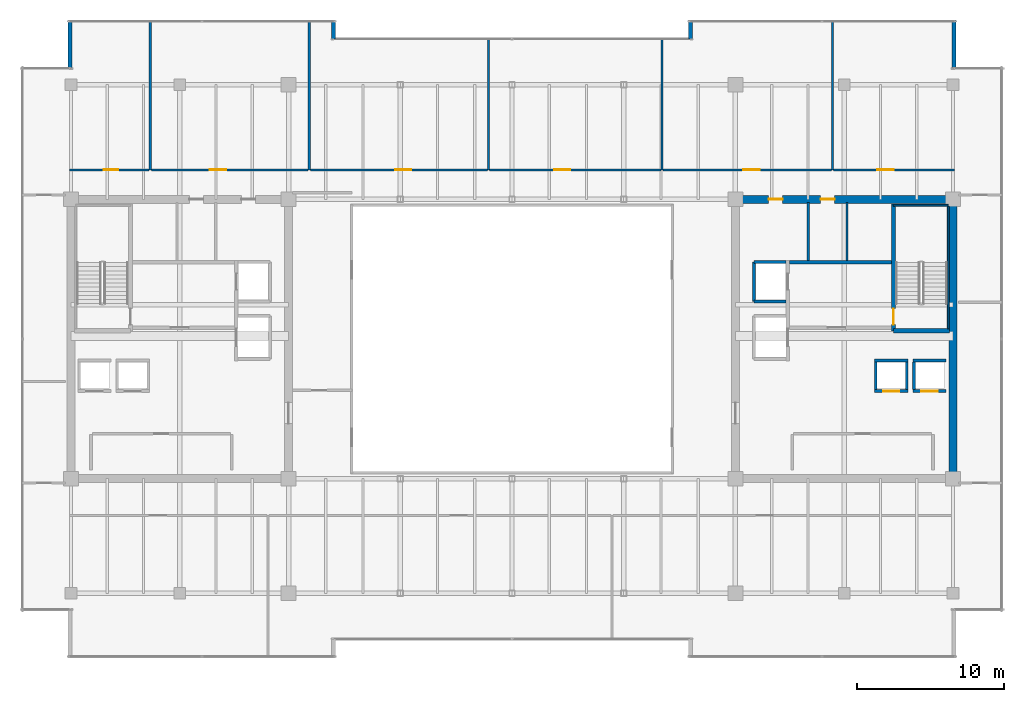
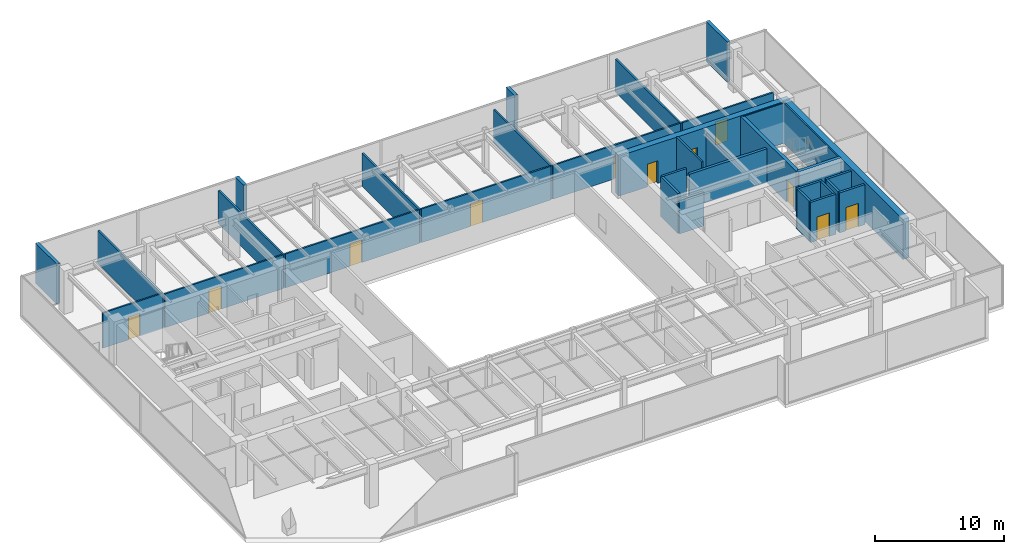
# One storey, part 30 of 33: 34 walls, 11 doors, 11 openings.
"""IFC4 building model written with IfcOpenShell, lengths in metres."""

from ifc_helpers import new_model, si_unit, direction, frame, frame_2d, origin, place, context, subcontext, project, spatial, rectangle, extrude, source, transform, mapped, material, layer, layer_set, type_object, type_shapes, element, fill, save


model = new_model("IFC4")

# Units and contexts
model_context = context("Model", 3, precision=1e-05, world=origin(), true_north=direction((0.0, 1.0)))
body_context = subcontext(model_context, "Body", "Model", "MODEL_VIEW")
ifc_project = project(units=[si_unit("LENGTHUNIT", "METRE"), si_unit("AREAUNIT", "SQUARE_METRE"), si_unit("VOLUMEUNIT", "CUBIC_METRE"), si_unit("PLANEANGLEUNIT", "RADIAN"), si_unit("MASSUNIT", "GRAM", prefix="KILO")], contexts=[model_context])

# Site, building, storey
site_placement = place(None, origin())
site = spatial("IfcSite", under=ifc_project, at=site_placement, CompositionType="ELEMENT")
building_placement = place(site_placement, origin())
building = spatial("IfcBuilding", under=site, at=building_placement, Name="Haelvirn Gate Laboratories", CompositionType="ELEMENT")
storey_placement = place(building_placement, frame((0.0, 0.0, 230.10009765625)))
storey = spatial("IfcBuildingStorey", under=building, at=storey_placement, Name="L55", CompositionType="ELEMENT", Elevation=230.10009765625)

# Walls
ifc_material_1 = material(Name="Thermally-broken bronze aluminium rainscreen & mineral wool", Category="aluminium")
ifc_layer_1 = layer(ifc_material_1, 0.280029296875, Name="EW-TERR-280")
ifc_layer_set_1 = layer_set([ifc_layer_1], Name="Thermally-broken bronze aluminium rainscreen & mineral wool")
wall_type_1 = type_object("IfcWallType", Name="EW-TERR-280", PredefinedType="STANDARD", material=ifc_layer_set_1)
wall_1_placement = place(storey_placement, frame((67.4599609375, 42.7119140625, 0.0), z_axis=(0.0, 0.0, 1.0), x_axis=(0.0, 1.0, 0.0)))
element("IfcWall", 1, at=wall_1_placement, inside=storey, type_object=wall_type_1, Name="L55 Atrium Recess Bronze Return Wall 09", PredefinedType="STANDARD", context=body_context, shape_type="SweptSolid", body=[
    extrude(rectangle(XDim=3.2880859375, YDim=0.280029296875, at=frame_2d((1.64404296875, 0.0))), origin(), (0.0, 0.0, 1.0), 3.7998046875),
])
for number, where, z_axis, x_axis, name in (
    (2, (49.5400390625, 46.0, 0.0), (0.0, 0.0, 1.0), (0.0, -1.0, 0.0), "L55 Atrium Recess Bronze Return Wall 11"),
    (3, (25.260009765625, 44.70703125, 0.0), (0.0, 0.0, 1.0), (0.0, 1.0, 0.0), "L55 Atrium Recess Bronze Return Wall 13"),
):
    element("IfcWall", number, at=place(storey_placement, frame(where, z_axis=z_axis, x_axis=x_axis)), inside=storey, type_object=wall_type_1, Name=name, PredefinedType="STANDARD", context=body_context, shape_type="SweptSolid", body=[
        extrude(rectangle(XDim=1.29296875, YDim=0.280029296875, at=frame_2d((0.646484375, 0.0))), origin(), (0.0, 0.0, 1.0), 3.7998046875),
    ])
wall_2_placement = place(storey_placement, frame((7.340087890625, 46.0, 0.0), z_axis=(0.0, 0.0, 1.0), x_axis=(0.0, -1.0, 0.0)))
element("IfcWall", 4, at=wall_2_placement, inside=storey, type_object=wall_type_1, Name="L55 Atrium Recess Bronze Return Wall 15", PredefinedType="STANDARD", context=body_context, shape_type="SweptSolid", body=[
    extrude(rectangle(XDim=3.2880859375, YDim=0.280029296875, at=frame_2d((1.64404296875, 0.0))), origin(), (0.0, 0.0, 1.0), 3.7998046875),
])
ifc_material_2 = material(Name="Double-layer acoustic gypsum laboratory partition", Category="gypsum")
ifc_layer_2 = layer(ifc_material_2, 0.159912109375, Name="IW-ACOUST-160")
ifc_layer_set_2 = layer_set([ifc_layer_2], Name="Double-layer acoustic gypsum laboratory partition")
wall_type_2 = type_object("IfcWallType", Name="IW-ACOUST-160", PredefinedType="PARTITIONING", material=ifc_layer_set_2)
for number, where, z_axis, x_axis, name in (
    (5, (12.800048828125, 35.81005859375, 0.0), (0.0, 0.0, 1.0), (0.0, 1.0, 0.0), "L55 Interior Wall IW-L55-NDIV-01"),
    (6, (23.60009765625, 35.81005859375, 0.0), (0.0, 0.0, 1.0), (0.0, 1.0, 0.0), "L55 Interior Wall IW-L55-NDIV-02"),
):
    element("IfcWall", number, at=place(storey_placement, frame(where, z_axis=z_axis, x_axis=x_axis)), inside=storey, type_object=wall_type_2, Name=name, PredefinedType="PARTITIONING", context=body_context, shape_type="SweptSolid", body=[
        extrude(rectangle(XDim=10.079833984375, YDim=0.159912109375, at=frame_2d((5.0400390625, 0.0))), origin(), (0.0, 0.0, 1.0), 3.135009765625),
    ])
for number, where, z_axis, x_axis, name in (
    (7, (35.800048828125, 35.81005859375, 0.0), (0.0, 0.0, 1.0), (0.0, 1.0, 0.0), "L55 Interior Wall IW-L55-NDIV-03"),
    (8, (47.60009765625, 35.81005859375, 0.0), (0.0, 0.0, 1.0), (0.0, 1.0, 0.0), "L55 Interior Wall IW-L55-NDIV-04"),
):
    element("IfcWall", number, at=place(storey_placement, frame(where, z_axis=z_axis, x_axis=x_axis)), inside=storey, type_object=wall_type_2, Name=name, PredefinedType="PARTITIONING", context=body_context, shape_type="SweptSolid", body=[
        extrude(rectangle(XDim=8.8798828125, YDim=0.159912109375, at=frame_2d((4.43994140625, 0.0))), origin(), (0.0, 0.0, 1.0), 3.135009765625),
    ])
wall_3_placement = place(storey_placement, frame((59.199951171875, 35.81005859375, 0.0), z_axis=(0.0, 0.0, 1.0), x_axis=(0.0, 1.0, 0.0)))
element("IfcWall", 9, at=wall_3_placement, inside=storey, type_object=wall_type_2, Name="L55 Interior Wall IW-L55-NDIV-05", PredefinedType="PARTITIONING", context=body_context, shape_type="SweptSolid", body=[
    extrude(rectangle(XDim=10.079833984375, YDim=0.159912109375, at=frame_2d((5.0400390625, 0.0))), origin(), (0.0, 0.0, 1.0), 3.135009765625),
])

# Wall, opening, door
ifc_material_3 = material(Name="Acoustic mineral-wool gypsum board partition", Category="gypsum")
ifc_layer_3 = layer(ifc_material_3, 0.139892578125, Name="IW-PART-140")
ifc_layer_set_3 = layer_set([ifc_layer_3], Name="Acoustic mineral-wool gypsum board partition")
wall_type_3 = type_object("IfcWallType", Name="IW-PART-140", PredefinedType="PARTITIONING", material=ifc_layer_set_3)
wall_4_placement = place(storey_placement, frame((7.31005859375, 35.81005859375, 0.0), z_axis=(0.0, 0.0, 1.0), x_axis=(1.0, 0.0, 0.0)))
wall_4 = element("IfcWall", 10, at=wall_4_placement, inside=storey, type_object=wall_type_3, Name="L55 Interior Wall IW-L55-NCORR-01", PredefinedType="PARTITIONING", context=body_context, shape_type="SweptSolid", body=[
    extrude(rectangle(XDim=5.409912109375, YDim=0.139892578125, at=frame_2d((2.705078125, 0.0))), origin(), (0.0, 0.0, 1.0), 3.3349609375),
])
opening_1_placement = place(wall_4_placement, frame((2.31640625, 0.0, 0.0)))
opening_1 = element("IfcOpeningElement", 11, at=opening_1_placement, cuts=wall_4, Name="Opening D2", PredefinedType="OPENING", context=body_context, shape_type="SweptSolid", body=[
    extrude(rectangle(XDim=1.0, YDim=2.14990234375, at=frame_2d((0.5, 1.074951171875))), frame((0.0, 0.080078125, 0.0), z_axis=(0.0, -1.0, 0.0), x_axis=(1.0, 0.0, 0.0)), (0.0, 0.0, 1.0), 0.159912109375),
])
ifc_material_4 = material(Name="Acoustic solid-core timber suite door", Category="wood")
door_type_1 = type_object("IfcDoorType", Name="DR-INT-1000", OperationType="NOTDEFINED", PredefinedType="DOOR", material=ifc_material_4)
shared_shape_1 = source(origin(), body_context, "Body", "SweptSolid", [
    extrude(rectangle(XDim=1.0, YDim=2.14990234375, at=frame_2d((0.5, 1.074951171875))), frame((0.0, 0.02490234375, 0.0), z_axis=(0.0, -1.0, 0.0), x_axis=(1.0, 0.0, 0.0)), (0.0, 0.0, 1.0), 0.050048828125),
])
type_shapes(door_type_1, [shared_shape_1])
door_1_placement = place(opening_1_placement, origin())
door_1 = element("IfcDoor", 12, at=door_1_placement, inside=storey, type_object=door_type_1, Name="L55 Protocol Briefing Training Room Door N1", OperationType="SINGLE_SWING_LEFT", OverallHeight=2.14990234375, OverallWidth=1.0, PredefinedType="DOOR", context=body_context, shape_type="MappedRepresentation", body=[
    mapped(shared_shape_1, transform((0.0, 0.0, 0.0), scale=1.0)),
])
fill(opening_1, door_1)

wall_5_placement = place(storey_placement, frame((12.8798828125, 35.81005859375, 0.0), z_axis=(0.0, 0.0, 1.0), x_axis=(1.0, 0.0, 0.0)))
wall_5 = element("IfcWall", 13, at=wall_5_placement, inside=storey, type_object=wall_type_3, Name="L55 Interior Wall IW-L55-NCORR-02", PredefinedType="PARTITIONING", context=body_context, shape_type="SweptSolid", body=[
    extrude(rectangle(XDim=10.64013671875, YDim=0.139892578125, at=frame_2d((5.320068359375, 0.0))), origin(), (0.0, 0.0, 1.0), 3.197021484375),
])
opening_2_placement = place(wall_5_placement, frame((3.974365234375, 0.0, 0.0)))
opening_2 = element("IfcOpeningElement", 14, at=opening_2_placement, cuts=wall_5, Name="Opening D1", PredefinedType="OPENING", context=body_context, shape_type="SweptSolid", body=[
    extrude(rectangle(XDim=1.10009765625, YDim=2.179931640625, at=frame_2d((0.550048828125, 1.08984375))), frame((0.0, 0.080078125, 0.0), z_axis=(0.0, -1.0, 0.0), x_axis=(1.0, 0.0, 0.0)), (0.0, 0.0, 1.0), 0.159912109375),
])
ifc_material_5 = material(Name="Vision-panel acoustic solid-core timber lab door", Category="wood")
door_type_2 = type_object("IfcDoorType", Name="DR-LAB-1100", OperationType="NOTDEFINED", PredefinedType="DOOR", material=ifc_material_5)
shared_shape_2 = source(origin(), body_context, "Body", "SweptSolid", [
    extrude(rectangle(XDim=1.10009765625, YDim=2.179931640625, at=frame_2d((0.550048828125, 1.08984375))), frame((0.0, 0.02490234375, 0.0), z_axis=(0.0, -1.0, 0.0), x_axis=(1.0, 0.0, 0.0)), (0.0, 0.0, 1.0), 0.050048828125),
])
type_shapes(door_type_2, [shared_shape_2])
door_2_placement = place(opening_2_placement, origin())
door_2 = element("IfcDoor", 15, at=door_2_placement, inside=storey, type_object=door_type_2, Name="L55 Analytical Instrument Suite Door N2", OperationType="SINGLE_SWING_RIGHT", OverallHeight=2.179931640625, OverallWidth=1.10009765625, PredefinedType="DOOR", context=body_context, shape_type="MappedRepresentation", body=[
    mapped(shared_shape_2, transform((0.0, 0.0, 0.0), scale=1.0)),
])
fill(opening_2, door_2)

wall_6_placement = place(storey_placement, frame((23.679931640625, 35.81005859375, 0.0), z_axis=(0.0, 0.0, 1.0), x_axis=(1.0, 0.0, 0.0)))
wall_6 = element("IfcWall", 16, at=wall_6_placement, inside=storey, type_object=wall_type_3, Name="L55 Interior Wall IW-L55-NCORR-03", PredefinedType="PARTITIONING", context=body_context, shape_type="SweptSolid", body=[
    extrude(rectangle(XDim=12.0400390625, YDim=0.139892578125, at=frame_2d((6.02001953125, 0.0))), origin(), (0.0, 0.0, 1.0), 3.197021484375),
])
opening_3_placement = place(wall_6_placement, frame((5.777099609375, 0.0, 0.0)))
opening_3 = element("IfcOpeningElement", 17, at=opening_3_placement, cuts=wall_6, Name="Opening D1", PredefinedType="OPENING", context=body_context, shape_type="SweptSolid", body=[
    extrude(rectangle(XDim=1.10009765625, YDim=2.179931640625, at=frame_2d((0.550048828125, 1.08984375))), frame((0.0, 0.080078125, 0.0), z_axis=(0.0, -1.0, 0.0), x_axis=(1.0, 0.0, 0.0)), (0.0, 0.0, 1.0), 0.159912109375),
])
door_3_placement = place(opening_3_placement, origin())
door_3 = element("IfcDoor", 18, at=door_3_placement, inside=storey, type_object=door_type_2, Name="L55 Cleanroom Metrology Suite Door N3", OperationType="SINGLE_SWING_LEFT", OverallHeight=2.179931640625, OverallWidth=1.10009765625, PredefinedType="DOOR", context=body_context, shape_type="MappedRepresentation", body=[
    mapped(shared_shape_2, transform((0.0, 0.0, 0.0), scale=1.0)),
])
fill(opening_3, door_3)

wall_7_placement = place(storey_placement, frame((35.8798828125, 35.81005859375, 0.0), z_axis=(0.0, 0.0, 1.0), x_axis=(1.0, 0.0, 0.0)))
wall_7 = element("IfcWall", 19, at=wall_7_placement, inside=storey, type_object=wall_type_3, Name="L55 Interior Wall IW-L55-NCORR-04", PredefinedType="PARTITIONING", context=body_context, shape_type="SweptSolid", body=[
    extrude(rectangle(XDim=11.64013671875, YDim=0.139892578125, at=frame_2d((5.820068359375, 0.0))), origin(), (0.0, 0.0, 1.0), 3.197021484375),
])
opening_4_placement = place(wall_7_placement, frame((4.384521484375, 0.0, 0.0)))
opening_4 = element("IfcOpeningElement", 20, at=opening_4_placement, cuts=wall_7, Name="Opening D1", PredefinedType="OPENING", context=body_context, shape_type="SweptSolid", body=[
    extrude(rectangle(XDim=1.10009765625, YDim=2.179931640625, at=frame_2d((0.550048828125, 1.08984375))), frame((0.0, 0.080078125, 0.0), z_axis=(0.0, -1.0, 0.0), x_axis=(1.0, 0.0, 0.0)), (0.0, 0.0, 1.0), 0.159912109375),
])
door_4_placement = place(opening_4_placement, origin())
door_4 = element("IfcDoor", 21, at=door_4_placement, inside=storey, type_object=door_type_2, Name="L55 Cryo-EM Imaging Suite Door N4", OperationType="SINGLE_SWING_RIGHT", OverallHeight=2.179931640625, OverallWidth=1.10009765625, PredefinedType="DOOR", context=body_context, shape_type="MappedRepresentation", body=[
    mapped(shared_shape_2, transform((0.0, 0.0, 0.0), scale=1.0)),
])
fill(opening_4, door_4)

wall_8_placement = place(storey_placement, frame((47.679931640625, 35.81005859375, 0.0), z_axis=(0.0, 0.0, 1.0), x_axis=(1.0, 0.0, 0.0)))
wall_8 = element("IfcWall", 22, at=wall_8_placement, inside=storey, type_object=wall_type_3, Name="L55 Interior Wall IW-L55-NCORR-05", PredefinedType="PARTITIONING", context=body_context, shape_type="SweptSolid", body=[
    extrude(rectangle(XDim=11.440185546875, YDim=0.139892578125, at=frame_2d((5.72021484375, 0.0))), origin(), (0.0, 0.0, 1.0), 3.197021484375),
])
opening_5_placement = place(wall_8_placement, frame((5.459228515625, 0.0, 0.0)))
opening_5 = element("IfcOpeningElement", 23, at=opening_5_placement, cuts=wall_8, Name="Opening D1", PredefinedType="OPENING", context=body_context, shape_type="SweptSolid", body=[
    extrude(rectangle(XDim=1.10009765625, YDim=2.179931640625, at=frame_2d((0.550048828125, 1.08984375))), frame((0.0, 0.080078125, 0.0), z_axis=(0.0, -1.0, 0.0), x_axis=(1.0, 0.0, 0.0)), (0.0, 0.0, 1.0), 0.159912109375),
])
door_5_placement = place(opening_5_placement, origin())
door_5 = element("IfcDoor", 24, at=door_5_placement, inside=storey, type_object=door_type_2, Name="L55 Analytical Instrument Suite Door N5", OperationType="SINGLE_SWING_LEFT", OverallHeight=2.179931640625, OverallWidth=1.10009765625, PredefinedType="DOOR", context=body_context, shape_type="MappedRepresentation", body=[
    mapped(shared_shape_2, transform((0.0, 0.0, 0.0), scale=1.0)),
])
fill(opening_5, door_5)

wall_9_placement = place(storey_placement, frame((59.280029296875, 35.81005859375, 0.0), z_axis=(0.0, 0.0, 1.0), x_axis=(1.0, 0.0, 0.0)))
wall_9 = element("IfcWall", 25, at=wall_9_placement, inside=storey, type_object=wall_type_3, Name="L55 Interior Wall IW-L55-NCORR-06", PredefinedType="PARTITIONING", context=body_context, shape_type="SweptSolid", body=[
    extrude(rectangle(XDim=8.2099609375, YDim=0.139892578125, at=frame_2d((4.10498046875, 0.0))), origin(), (0.0, 0.0, 1.0), 3.197021484375),
])
opening_6_placement = place(wall_9_placement, frame((2.97802734375, 0.0, 0.0)))
opening_6 = element("IfcOpeningElement", 26, at=opening_6_placement, cuts=wall_9, Name="Opening D1", PredefinedType="OPENING", context=body_context, shape_type="SweptSolid", body=[
    extrude(rectangle(XDim=1.10009765625, YDim=2.179931640625, at=frame_2d((0.550048828125, 1.08984375))), frame((0.0, 0.080078125, 0.0), z_axis=(0.0, -1.0, 0.0), x_axis=(1.0, 0.0, 0.0)), (0.0, 0.0, 1.0), 0.159912109375),
])
door_6_placement = place(opening_6_placement, origin())
door_6 = element("IfcDoor", 27, at=door_6_placement, inside=storey, type_object=door_type_2, Name="L55 Bioinformatics Dry-Lab Workspace Door N6", OperationType="SINGLE_SWING_RIGHT", OverallHeight=2.179931640625, OverallWidth=1.10009765625, PredefinedType="DOOR", context=body_context, shape_type="MappedRepresentation", body=[
    mapped(shared_shape_2, transform((0.0, 0.0, 0.0), scale=1.0)),
])
fill(opening_6, door_6)

# Walls
ifc_material_6 = material(Name="Cement-board restroom plumbing chase wall", Category="gypsum")
ifc_layer_4 = layer(ifc_material_6, 0.155029296875, Name="IW-PLUMB-160")
ifc_layer_set_4 = layer_set([ifc_layer_4], Name="Cement-board restroom plumbing chase wall")
wall_type_4 = type_object("IfcWallType", Name="IW-PLUMB-160", PredefinedType="PLUMBINGWALL", material=ifc_layer_set_4)
wall_10_placement = place(storey_placement, frame((60.18994140625, 29.64990234375, 0.0), z_axis=(0.0, 0.0, 1.0), x_axis=(0.0, 1.0, 0.0)))
element("IfcWall", 28, at=wall_10_placement, inside=storey, type_object=wall_type_4, Name="L55 Interior Wall IW-L55-E-CDIV-0", PredefinedType="PLUMBINGWALL", context=body_context, shape_type="SweptSolid", body=[
    extrude(rectangle(XDim=3.93017578125, YDim=0.155029296875, at=frame_2d((1.965087890625, 0.0))), origin(), (0.0, 0.0, 1.0), 3.197021484375),
])
wall_11_placement = place(storey_placement, frame((57.56005859375, 29.64990234375, 0.0), z_axis=(0.0, 0.0, 1.0), x_axis=(0.0, 1.0, 0.0)))
element("IfcWall", 29, at=wall_11_placement, inside=storey, type_object=wall_type_4, Name="L55 Interior Wall IW-L55-E-CDIV-1", PredefinedType="PLUMBINGWALL", context=body_context, shape_type="SweptSolid", body=[
    extrude(rectangle(XDim=3.93017578125, YDim=0.155029296875, at=frame_2d((1.965087890625, 0.0))), origin(), (0.0, 0.0, 1.0), 3.7998046875),
])
ifc_material_7 = material(Name="Concrete C40/50", Category="concrete")
ifc_layer_5 = layer(ifc_material_7, 0.179931640625, Name="IW-SHAFT-180")
ifc_layer_set_5 = layer_set([ifc_layer_5], Name="Concrete C40/50")
wall_type_5 = type_object("IfcWallType", Name="IW-SHAFT-180", PredefinedType="SOLIDWALL", material=ifc_layer_set_5)
for number, where, z_axis, x_axis, name in (
    (30, (64.75, 20.85009765625, 0.0), (0.0, 0.0, 1.0), (0.0, 1.0, 0.0), "L55 Interior Wall IW-L55-PL11-SD"),
    (31, (62.14990234375, 20.85009765625, 0.0), (0.0, 0.0, 1.0), (0.0, 1.0, 0.0), "L55 Interior Wall IW-L55-PL12-SD"),
    (32, (64.25, 20.85009765625, 0.0), (0.0, 0.0, 1.0), (0.0, 1.0, 0.0), "L55 Interior Wall IW-L55-PL12-SDE"),
):
    element("IfcWall", number, at=place(storey_placement, frame(where, z_axis=z_axis, x_axis=x_axis)), inside=storey, type_object=wall_type_5, Name=name, PredefinedType="SOLIDWALL", context=body_context, shape_type="SweptSolid", body=[
        extrude(rectangle(XDim=1.89990234375, YDim=0.179931640625, at=frame_2d((0.949951171875, 0.0))), origin(), (0.0, 0.0, 1.0), 3.7998046875),
    ])

# Wall, opening, door
ifc_layer_6 = layer(ifc_material_7, 0.199951171875, Name="IW-SHAFT-200")
ifc_layer_set_6 = layer_set([ifc_layer_6], Name="Concrete C40/50")
wall_type_6 = type_object("IfcWallType", Name="IW-SHAFT-200", PredefinedType="SOLIDWALL", material=ifc_layer_set_6)
wall_12_placement = place(storey_placement, frame((64.669921875, 20.75, 0.0), z_axis=(0.0, 0.0, 1.0), x_axis=(1.0, 0.0, 0.0)))
wall_12 = element("IfcWall", 33, at=wall_12_placement, inside=storey, type_object=wall_type_6, Name="L55 Interior Wall IW-L55-PL11-FR", PredefinedType="SOLIDWALL", context=body_context, shape_type="SweptSolid", body=[
    extrude(rectangle(XDim=2.260009765625, YDim=0.199951171875, at=frame_2d((1.1298828125, 0.0))), origin(), (0.0, 0.0, 1.0), 3.7998046875),
])
opening_7_placement = place(wall_12_placement, frame((0.580078125, 0.0, 0.0)))
opening_7 = element("IfcOpeningElement", 34, at=opening_7_placement, cuts=wall_12, Name="Opening LD2", PredefinedType="OPENING", context=body_context, shape_type="SweptSolid", body=[
    extrude(rectangle(XDim=1.10009765625, YDim=2.219970703125, at=frame_2d((0.550048828125, 1.10986328125))), frame((0.0, 0.10986328125, 0.0), z_axis=(0.0, -1.0, 0.0), x_axis=(1.0, 0.0, 0.0)), (0.0, 0.0, 1.0), 0.219970703125),
])
ifc_material_8 = material(Name="Bronze stainless 316L sliding lift landing door")
door_type_3 = type_object("IfcDoorType", Name="DR-LD-1100", OperationType="NOTDEFINED", PredefinedType="USERDEFINED", material=ifc_material_8)
shared_shape_3 = source(origin(), body_context, "Body", "SweptSolid", [
    extrude(rectangle(XDim=1.10009765625, YDim=2.219970703125, at=frame_2d((0.550048828125, 1.10986328125))), frame((0.0, 0.02490234375, 0.0), z_axis=(0.0, -1.0, 0.0), x_axis=(1.0, 0.0, 0.0)), (0.0, 0.0, 1.0), 0.050048828125),
])
type_shapes(door_type_3, [shared_shape_3])
door_7_placement = place(opening_7_placement, origin())
door_7 = element("IfcDoor", 35, at=door_7_placement, inside=storey, type_object=door_type_3, Name="L55 Passenger Lift PL11 Landing Door", ObjectType="LANDING_DOOR", OperationType="SLIDING_TO_LEFT", OverallHeight=2.219970703125, OverallWidth=1.10009765625, PredefinedType="USERDEFINED", context=body_context, shape_type="MappedRepresentation", body=[
    mapped(shared_shape_3, transform((0.0, 0.0, 0.0), scale=1.0)),
])
fill(opening_7, door_7)

# Wall
wall_13_placement = place(storey_placement, frame((64.669921875, 22.85009765625, 0.0), z_axis=(0.0, 0.0, 1.0), x_axis=(1.0, 0.0, 0.0)))
element("IfcWall", 36, at=wall_13_placement, inside=storey, type_object=wall_type_6, Name="L55 Interior Wall IW-L55-PL11-BK", PredefinedType="SOLIDWALL", context=body_context, shape_type="SweptSolid", body=[
    extrude(rectangle(XDim=2.260009765625, YDim=0.199951171875, at=frame_2d((1.1298828125, 0.0))), origin(), (0.0, 0.0, 1.0), 3.7998046875),
])

# Wall, opening, door
wall_14_placement = place(storey_placement, frame((62.070068359375, 20.75, 0.0), z_axis=(0.0, 0.0, 1.0), x_axis=(1.0, 0.0, 0.0)))
wall_14 = element("IfcWall", 37, at=wall_14_placement, inside=storey, type_object=wall_type_6, Name="L55 Interior Wall IW-L55-PL12-FR", PredefinedType="SOLIDWALL", context=body_context, shape_type="SweptSolid", body=[
    extrude(rectangle(XDim=2.260009765625, YDim=0.199951171875, at=frame_2d((1.1298828125, 0.0))), origin(), (0.0, 0.0, 1.0), 3.7998046875),
])
opening_8_placement = place(wall_14_placement, frame((0.580078125, 0.0, 0.0)))
opening_8 = element("IfcOpeningElement", 38, at=opening_8_placement, cuts=wall_14, Name="Opening LD2", PredefinedType="OPENING", context=body_context, shape_type="SweptSolid", body=[
    extrude(rectangle(XDim=1.10009765625, YDim=2.219970703125, at=frame_2d((0.550048828125, 1.10986328125))), frame((0.0, 0.10986328125, 0.0), z_axis=(0.0, -1.0, 0.0), x_axis=(1.0, 0.0, 0.0)), (0.0, 0.0, 1.0), 0.219970703125),
])
door_8_placement = place(opening_8_placement, origin())
door_8 = element("IfcDoor", 39, at=door_8_placement, inside=storey, type_object=door_type_3, Name="L55 Passenger Lift PL12 Landing Door", ObjectType="LANDING_DOOR", OperationType="SLIDING_TO_RIGHT", OverallHeight=2.219970703125, OverallWidth=1.10009765625, PredefinedType="USERDEFINED", context=body_context, shape_type="MappedRepresentation", body=[
    mapped(shared_shape_3, transform((0.0, 0.0, 0.0), scale=1.0)),
])
fill(opening_8, door_8)

# Walls
wall_15_placement = place(storey_placement, frame((62.070068359375, 22.85009765625, 0.0), z_axis=(0.0, 0.0, 1.0), x_axis=(1.0, 0.0, 0.0)))
element("IfcWall", 40, at=wall_15_placement, inside=storey, type_object=wall_type_6, Name="L55 Interior Wall IW-L55-PL12-BK", PredefinedType="SOLIDWALL", context=body_context, shape_type="SweptSolid", body=[
    extrude(rectangle(XDim=2.260009765625, YDim=0.199951171875, at=frame_2d((1.1298828125, 0.0))), origin(), (0.0, 0.0, 1.0), 3.7998046875),
])
wall_16_placement = place(storey_placement, frame((53.85009765625, 26.85009765625, 0.0), z_axis=(0.0, 0.0, 1.0), x_axis=(0.0, 1.0, 0.0)))
element("IfcWall", 41, at=wall_16_placement, inside=storey, type_object=wall_type_6, Name="L55 Interior Wall IW-L55-FL2-BK", PredefinedType="SOLIDWALL", context=body_context, shape_type="SweptSolid", body=[
    extrude(rectangle(XDim=2.699951171875, YDim=0.199951171875, at=frame_2d((1.35009765625, 0.0))), origin(), (0.0, 0.0, 1.0), 3.7998046875),
])
wall_17_placement = place(storey_placement, frame((53.85009765625, 29.550048828125, 0.0), z_axis=(0.0, 0.0, 1.0), x_axis=(1.0, 0.0, 0.0)))
element("IfcWall", 42, at=wall_17_placement, inside=storey, type_object=wall_type_6, Name="L55 Interior Wall IW-L55-FL2-N", PredefinedType="SOLIDWALL", context=body_context, shape_type="SweptSolid", body=[
    extrude(rectangle(XDim=2.18994140625, YDim=0.199951171875, at=frame_2d((1.094970703125, 0.0))), origin(), (0.0, 0.0, 1.0), 3.7998046875),
])
wall_18_placement = place(storey_placement, frame((53.85009765625, 26.85009765625, 0.0), z_axis=(0.0, 0.0, 1.0), x_axis=(1.0, 0.0, 0.0)))
element("IfcWall", 43, at=wall_18_placement, inside=storey, type_object=wall_type_6, Name="L55 Interior Wall IW-L55-FL2-S", PredefinedType="SOLIDWALL", context=body_context, shape_type="SweptSolid", body=[
    extrude(rectangle(XDim=2.18994140625, YDim=0.199951171875, at=frame_2d((1.094970703125, 0.0))), origin(), (0.0, 0.0, 1.0), 3.197021484375),
])
ifc_layer_7 = layer(ifc_material_7, 0.239990234375, Name="IW-SHAFT-240")
ifc_layer_set_7 = layer_set([ifc_layer_7], Name="Concrete C40/50")
wall_type_7 = type_object("IfcWallType", Name="IW-SHAFT-240", PredefinedType="SOLIDWALL", material=ifc_layer_set_7)
wall_19_placement = place(storey_placement, frame((56.280029296875, 29.52001953125, 0.0), z_axis=(0.0, 0.0, 1.0), x_axis=(1.0, 0.0, 0.0)))
element("IfcWall", 44, at=wall_19_placement, inside=storey, type_object=wall_type_7, Name="L55 Interior Wall IW-L55-E-FF-N", PredefinedType="SOLIDWALL", context=body_context, shape_type="SweptSolid", body=[
    extrude(rectangle(XDim=6.919921875, YDim=0.239990234375, at=frame_2d((3.4599609375, 0.0))), origin(), (0.0, 0.0, 1.0), 3.197021484375),
])

# Wall, openings, doors
ifc_material_9 = material(Name="Concrete C50/60", Category="concrete")
ifc_layer_8 = layer(ifc_material_9, 0.550048828125, Name="SW-CORE-550")
ifc_layer_set_8 = layer_set([ifc_layer_8], Name="Concrete C50/60")
wall_type_8 = type_object("IfcWallType", Name="SW-CORE-550", PredefinedType="SHEAR", material=ifc_layer_set_8)
wall_20_placement = place(storey_placement, frame((52.324951171875, 33.800048828125, 0.0), z_axis=(0.0, 0.0, 1.0), x_axis=(1.0, 0.0, 0.0)))
wall_20 = element("IfcWall", 45, at=wall_20_placement, inside=storey, type_object=wall_type_8, Name="L55 E Core Shear Wall N", PredefinedType="SHEAR", context=body_context, shape_type="SweptSolid", body=[
    extrude(rectangle(XDim=15.35009765625, YDim=0.550048828125, at=frame_2d((7.675048828125, 0.0))), origin(), (0.0, 0.0, 1.0), 3.7998046875),
])
opening_9_placement = place(wall_20_placement, frame((6.074951171875, 0.0, 0.0)))
opening_9 = element("IfcOpeningElement", 46, at=opening_9_placement, cuts=wall_20, Name="Opening FD4", PredefinedType="OPENING", context=body_context, shape_type="SweptSolid", body=[
    extrude(rectangle(XDim=0.949951171875, YDim=2.14990234375, at=frame_2d((0.47509765625, 1.074951171875))), frame((0.0, 0.28515625, 0.0), z_axis=(0.0, -1.0, 0.0), x_axis=(1.0, 0.0, 0.0)), (0.0, 0.0, 1.0), 0.570068359375),
])
opening_10_placement = place(wall_20_placement, frame((2.534912109375, 0.0, 0.0)))
opening_10 = element("IfcOpeningElement", 47, at=opening_10_placement, cuts=wall_20, Name="Opening FD4", PredefinedType="OPENING", context=body_context, shape_type="SweptSolid", body=[
    extrude(rectangle(XDim=0.949951171875, YDim=2.14990234375, at=frame_2d((0.47509765625, 1.074951171875))), frame((0.0, 0.28515625, 0.0), z_axis=(0.0, -1.0, 0.0), x_axis=(1.0, 0.0, 0.0)), (0.0, 0.0, 1.0), 0.570068359375),
])
ifc_material_10 = material(Name="Fire-rated steel SM355 core service door", Category="steel")
door_type_4 = type_object("IfcDoorType", Name="DR-FD-950", OperationType="NOTDEFINED", PredefinedType="DOOR", material=ifc_material_10)
shared_shape_4 = source(origin(), body_context, "Body", "SweptSolid", [
    extrude(rectangle(XDim=0.949951171875, YDim=2.14990234375, at=frame_2d((0.47509765625, 1.074951171875))), frame((0.0, 0.02490234375, 0.0), z_axis=(0.0, -1.0, 0.0), x_axis=(1.0, 0.0, 0.0)), (0.0, 0.0, 1.0), 0.050048828125),
])
type_shapes(door_type_4, [shared_shape_4])
door_9_placement = place(opening_9_placement, origin())
door_9 = element("IfcDoor", 48, at=door_9_placement, inside=storey, type_object=door_type_4, Name="L55 Accessible Restroom Fire Door", OperationType="SINGLE_SWING_RIGHT", OverallHeight=2.14990234375, OverallWidth=0.949951171875, PredefinedType="DOOR", context=body_context, shape_type="MappedRepresentation", body=[
    mapped(shared_shape_4, transform((0.0, 0.0, 0.0), scale=1.0)),
])
fill(opening_9, door_9)
door_10_placement = place(opening_10_placement, origin())
door_10 = element("IfcDoor", 49, at=door_10_placement, inside=storey, type_object=door_type_4, Name="L55 Staff Restroom Fire Door", OperationType="SINGLE_SWING_LEFT", OverallHeight=2.14990234375, OverallWidth=0.949951171875, PredefinedType="DOOR", context=body_context, shape_type="MappedRepresentation", body=[
    mapped(shared_shape_4, transform((0.0, 0.0, 0.0), scale=1.0)),
])
fill(opening_10, door_10)

# Walls
wall_21_placement = place(storey_placement, frame((67.39990234375, 15.074951171875, 0.0), z_axis=(0.0, 0.0, 1.0), x_axis=(0.0, 1.0, 0.0)))
element("IfcWall", 50, at=wall_21_placement, inside=storey, type_object=wall_type_8, Name="L55 E Core Shear Wall E", PredefinedType="SHEAR", context=body_context, shape_type="SweptSolid", body=[
    extrude(rectangle(XDim=18.449951171875, YDim=0.550048828125, at=frame_2d((9.22509765625, 0.0))), origin(), (0.0, 0.0, 1.0), 3.7998046875),
])
ifc_layer_9 = layer(ifc_material_9, 0.1201171875, Name="SW-LINER-120")
ifc_layer_set_9 = layer_set([ifc_layer_9], Name="Concrete C50/60")
wall_type_9 = type_object("IfcWallType", Name="SW-LINER-120", PredefinedType="SOLIDWALL", material=ifc_layer_set_9)
wall_22_placement = place(storey_placement, frame((63.35009765625, 33.39990234375, 0.0), z_axis=(0.0, 0.0, 1.0), x_axis=(1.0, 0.0, 0.0)))
element("IfcWall", 51, at=wall_22_placement, inside=storey, type_object=wall_type_9, Name="L55 E Core Stair Shaft Liner Wall N", PredefinedType="SOLIDWALL", context=body_context, shape_type="SweptSolid", body=[
    extrude(rectangle(XDim=3.719970703125, YDim=0.1201171875, at=frame_2d((1.85986328125, 0.0))), origin(), (0.0, 0.0, 1.0), 3.7998046875),
])
wall_23_placement = place(storey_placement, frame((67.070068359375, 25.0, 0.0), z_axis=(0.0, 0.0, 1.0), x_axis=(0.0, 1.0, 0.0)))
element("IfcWall", 52, at=wall_23_placement, inside=storey, type_object=wall_type_9, Name="L55 E Core Stair Shaft Liner Wall OUT", PredefinedType="SOLIDWALL", context=body_context, shape_type="SweptSolid", body=[
    extrude(rectangle(XDim=8.320068359375, YDim=0.1201171875, at=frame_2d((4.16015625, 0.0))), origin(), (0.0, 0.0, 1.0), 3.7998046875),
])

# Wall, opening, door
ifc_layer_10 = layer(ifc_material_9, 0.300048828125, Name="SW-STAIR-300")
ifc_layer_set_10 = layer_set([ifc_layer_10], Name="Concrete C50/60")
wall_type_10 = type_object("IfcWallType", Name="SW-STAIR-300", PredefinedType="SHEAR", material=ifc_layer_set_10)
wall_24_placement = place(storey_placement, frame((63.35009765625, 24.85009765625, 0.0), z_axis=(0.0, 0.0, 1.0), x_axis=(0.0, 1.0, 0.0)))
wall_24 = element("IfcWall", 53, at=wall_24_placement, inside=storey, type_object=wall_type_10, Name="L55 E Core Stair Shaft Structural Wall IN", PredefinedType="SHEAR", context=body_context, shape_type="SweptSolid", body=[
    extrude(rectangle(XDim=8.6298828125, YDim=0.300048828125, at=frame_2d((4.31494140625, 0.0))), origin(), (0.0, 0.0, 1.0), 3.7998046875),
])
opening_11_placement = place(wall_24_placement, frame((0.419921875, 0.0, 0.0)))
opening_11 = element("IfcOpeningElement", 54, at=opening_11_placement, cuts=wall_24, Name="Opening FD3", PredefinedType="OPENING", context=body_context, shape_type="SweptSolid", body=[
    extrude(rectangle(XDim=1.10009765625, YDim=2.14990234375, at=frame_2d((0.550048828125, 1.074951171875))), frame((0.0, 0.16015625, 0.0), z_axis=(0.0, -1.0, 0.0), x_axis=(1.0, 0.0, 0.0)), (0.0, 0.0, 1.0), 0.320068359375),
])
ifc_material_11 = material(Name="Fire-rated steel SM355 escape stair door", Category="steel")
door_type_5 = type_object("IfcDoorType", Name="DR-FD-1100", OperationType="NOTDEFINED", PredefinedType="DOOR", material=ifc_material_11)
shared_shape_5 = source(origin(), body_context, "Body", "SweptSolid", [
    extrude(rectangle(XDim=1.10009765625, YDim=2.14990234375, at=frame_2d((0.550048828125, 1.074951171875))), frame((0.0, 0.02490234375, 0.0), z_axis=(0.0, -1.0, 0.0), x_axis=(1.0, 0.0, 0.0)), (0.0, 0.0, 1.0), 0.050048828125),
])
type_shapes(door_type_5, [shared_shape_5])
door_11_placement = place(opening_11_placement, origin())
door_11 = element("IfcDoor", 55, at=door_11_placement, inside=storey, type_object=door_type_5, Name="L55 Escape Stair ST2 Fire Door", OperationType="SINGLE_SWING_RIGHT", OverallHeight=2.14990234375, OverallWidth=1.10009765625, PredefinedType="DOOR", context=body_context, shape_type="MappedRepresentation", body=[
    mapped(shared_shape_5, transform((0.0, 0.0, 0.0), scale=1.0)),
])
fill(opening_11, door_11)

# Wall
wall_25_placement = place(storey_placement, frame((63.35009765625, 24.85009765625, 0.0), z_axis=(0.0, 0.0, 1.0), x_axis=(1.0, 0.0, 0.0)))
element("IfcWall", 56, at=wall_25_placement, inside=storey, type_object=wall_type_10, Name="L55 E Core Stair Shaft Structural Wall S", PredefinedType="SHEAR", context=body_context, shape_type="SweptSolid", body=[
    extrude(rectangle(XDim=3.7998046875, YDim=0.300048828125, at=frame_2d((1.89990234375, 0.0))), origin(), (0.0, 0.0, 1.0), 3.7998046875),
])

save(model, "model.ifc")
